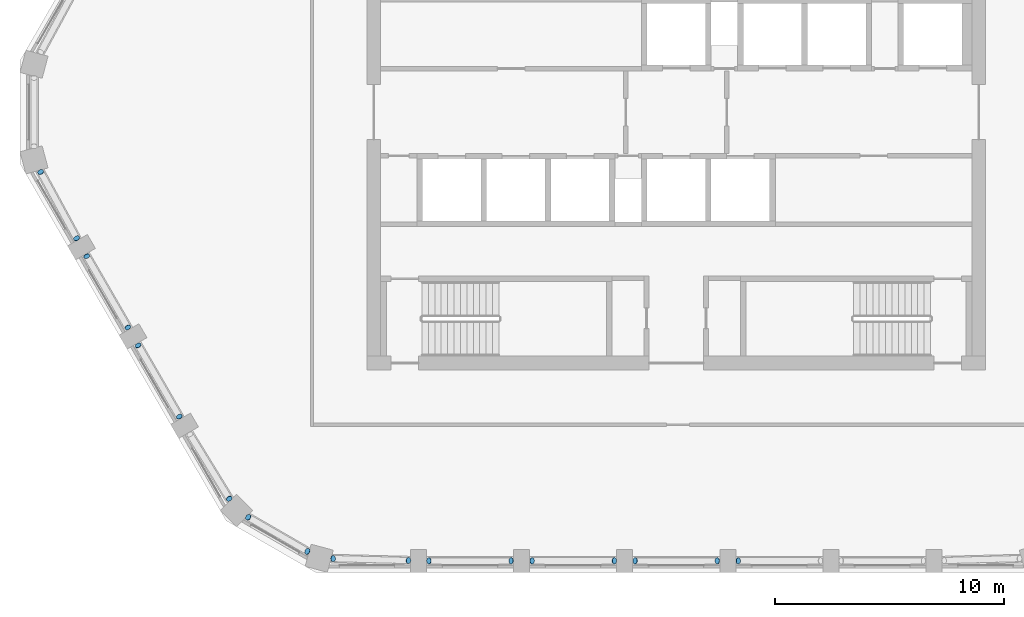
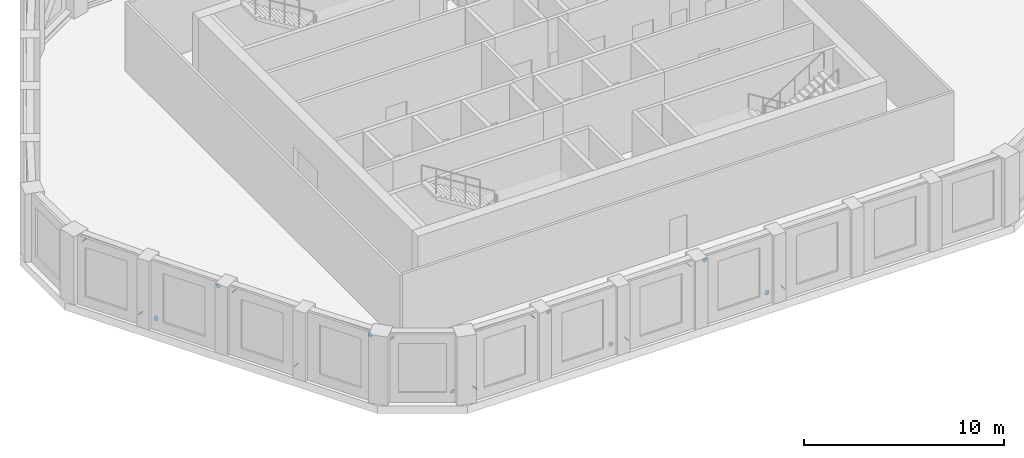
# One storey, part 8 of 14: 18 discrete accessories.
"""IFC4 building model written with IfcOpenShell, lengths in metres."""

from ifc_helpers import new_model, si_unit, direction, frame, origin, origin_2d, place, context, subcontext, project, spatial, circle, extrude, material, material_profile, profile_set, type_object, element, save


model = new_model("IFC4")

# Units and contexts
model_context = context("Model", 3, precision=1e-05, world=origin(), true_north=direction((0.0, 1.0)))
body_context = subcontext(model_context, "Body", "Model", "MODEL_VIEW")
ifc_project = project(units=[si_unit("LENGTHUNIT", "METRE"), si_unit("AREAUNIT", "SQUARE_METRE"), si_unit("VOLUMEUNIT", "CUBIC_METRE"), si_unit("PLANEANGLEUNIT", "RADIAN"), si_unit("MASSUNIT", "GRAM", prefix="KILO")], contexts=[model_context])

# Site, building, storey
site_placement = place(None, origin())
site = spatial("IfcSite", under=ifc_project, at=site_placement, CompositionType="ELEMENT")
building_placement = place(site_placement, origin())
building = spatial("IfcBuilding", under=site, at=building_placement, Name="Dhurran Vertical Campus", CompositionType="ELEMENT")
storey_placement = place(building_placement, frame((0.0, 0.0, 282.0)))
storey = spatial("IfcBuildingStorey", under=building, at=storey_placement, Name="L70 Plant", CompositionType="ELEMENT", Elevation=282.0)

# Discrete accessories
ifc_material = material(Name="Steel S355J2", Category="steel")
ifc_material_profile = material_profile(ifc_material, circle(Radius=0.136474609375, at=origin_2d()), Name="Tube end cap 273 x 20")
ifc_profile_set = profile_set([ifc_material_profile], Name="Steel S355J2")
discrete_accessory_type = type_object("IfcDiscreteAccessoryType", Name="Tube end cap 273 x 20", PredefinedType="USERDEFINED", material=ifc_profile_set)
discrete_accessory_1_placement = place(storey_placement, frame((-14.9736328125, -19.491943359375, 0.468994140625), z_axis=(-0.713174651018, 0.012296114673, -0.700878536345), x_axis=(-0.017238817251, -0.999851400549, 0.0)))
element("IfcDiscreteAccessory", 1, at=discrete_accessory_1_placement, inside=storey, type_object=discrete_accessory_type, Name="EC1 belt L70 d00 capA", ObjectType="END CAP", PredefinedType="USERDEFINED", context=body_context, shape_type="SweptSolid", body=[
    extrude(circle(Radius=0.136474609375, at=origin_2d()), origin(), (0.0, 0.0, 1.0), 0.019775390625),
])
discrete_accessory_2_placement = place(storey_placement, frame((-11.6982421875, -19.576904296875, 3.705810546875), z_axis=(0.707054237491, -0.012190590302, 0.707054237491), x_axis=(0.017238817251, 0.999851400549, 0.0)))
element("IfcDiscreteAccessory", 2, at=discrete_accessory_2_placement, inside=storey, type_object=discrete_accessory_type, Name="EC1 belt L70 d00 capB", ObjectType="END CAP", PredefinedType="USERDEFINED", context=body_context, shape_type="SweptSolid", body=[
    extrude(circle(Radius=0.136474609375, at=origin_2d()), origin(), (0.0, 0.0, 1.0), 0.02001953125),
])
for number, where, z_axis, x_axis, name in (
    (3, (-7.212158203125, -19.58837890625, 0.473388671875), (0.737154140201, 0.0, -0.675724628517), (0.0, 1.0, 0.0), "EC1 belt L70 d01 capA"),
    (4, (-10.787841796875, -19.58837890625, 3.70166015625), (-0.737154140201, 0.0, 0.675724628517), (0.0, -1.0, 0.0), "EC1 belt L70 d01 capB"),
    (5, (-6.287841796875, -19.58837890625, 0.473388671875), (-0.737154140201, 0.0, -0.675724628517), (0.0, -1.0, 0.0), "EC1 belt L70 d02 capA"),
    (6, (-2.712158203125, -19.58837890625, 3.70166015625), (0.737154140201, 0.0, 0.675724628517), (0.0, 1.0, 0.0), "EC1 belt L70 d02 capB"),
    (7, (1.787841796875, -19.58837890625, 0.473388671875), (0.737154140201, 0.0, -0.675724628517), (0.0, 1.0, 0.0), "EC1 belt L70 d03 capA"),
    (8, (-1.787841796875, -19.58837890625, 3.70166015625), (-0.737154140201, 0.0, 0.675724628517), (0.0, -1.0, 0.0), "EC1 belt L70 d03 capB"),
    (9, (2.712158203125, -19.58837890625, 0.473388671875), (-0.737154140201, 0.0, -0.675724628517), (0.0, -1.0, 0.0), "EC1 belt L70 d04 capA"),
    (10, (-26.17822265625, -5.503173828125, 0.468994140625), (0.343771839277, -0.626155850111, -0.699821244242), (0.87657855078, 0.481258812193, 0.0), "EC1 belt L70 d31 capA"),
):
    element("IfcDiscreteAccessory", number, at=place(storey_placement, frame(where, z_axis=z_axis, x_axis=x_axis)), inside=storey, type_object=discrete_accessory_type, Name=name, ObjectType="END CAP", PredefinedType="USERDEFINED", context=body_context, shape_type="SweptSolid", body=[
        extrude(circle(Radius=0.136474609375, at=origin_2d()), origin(), (0.0, 0.0, 1.0), 0.019775390625),
    ])
for number, where, z_axis, x_axis, name in (
    (11, (-27.7421875, -2.6240234375, 3.705810546875), (-0.340830394523, 0.620798218596, 0.706005817226), (-0.87657855078, -0.481258812193, 0.0), "EC1 belt L70 d31 capB"),
    (12, (-25.73291015625, -6.29736328125, 0.473388671875), (-0.376068504711, 0.642955830635, -0.66721831481), (-0.863187603129, -0.504883315038, 0.0), "EC1 belt L70 d32 capA"),
    (13, (-23.9453125, -9.393798828125, 3.70166015625), (0.376068504711, -0.642955830635, 0.66721831481), (0.863187603129, 0.504883315038, 0.0), "EC1 belt L70 d32 capB"),
    (14, (-21.6953125, -13.291015625, 0.473388671875), (0.376068504711, -0.642955830635, -0.66721831481), (0.863187603129, 0.504883315038, 0.0), "EC1 belt L70 d33 capA"),
    (15, (-23.48291015625, -10.194580078125, 3.70166015625), (-0.376068504711, 0.642955830635, 0.66721831481), (-0.863187603129, -0.504883315038, 0.0), "EC1 belt L70 d33 capB"),
    (16, (-19.518798828125, -16.867919921875, 3.705810546875), (0.377992569235, -0.597472125565, 0.707211903729), (0.845078836052, 0.534641712604, 0.0), "EC1 belt L70 d34 capB"),
    (17, (-16.107177734375, -19.17529296875, 0.464111328125), (0.584064364195, -0.328536204859, -0.742248462831), (0.490261239633, 0.871575537125, 0.0), "EC1 belt L70 d35 capA"),
    (18, (-18.677490234375, -17.691162109375, 3.7109375), (-0.586939185653, 0.342381191631, 0.733673982067), (-0.503871025524, -0.863778900898, 0.0), "EC1 belt L70 d35 capB"),
):
    element("IfcDiscreteAccessory", number, at=place(storey_placement, frame(where, z_axis=z_axis, x_axis=x_axis)), inside=storey, type_object=discrete_accessory_type, Name=name, ObjectType="END CAP", PredefinedType="USERDEFINED", context=body_context, shape_type="SweptSolid", body=[
        extrude(circle(Radius=0.136474609375, at=origin_2d()), origin(), (0.0, 0.0, 1.0), 0.02001953125),
    ])

save(model, "model.ifc")
